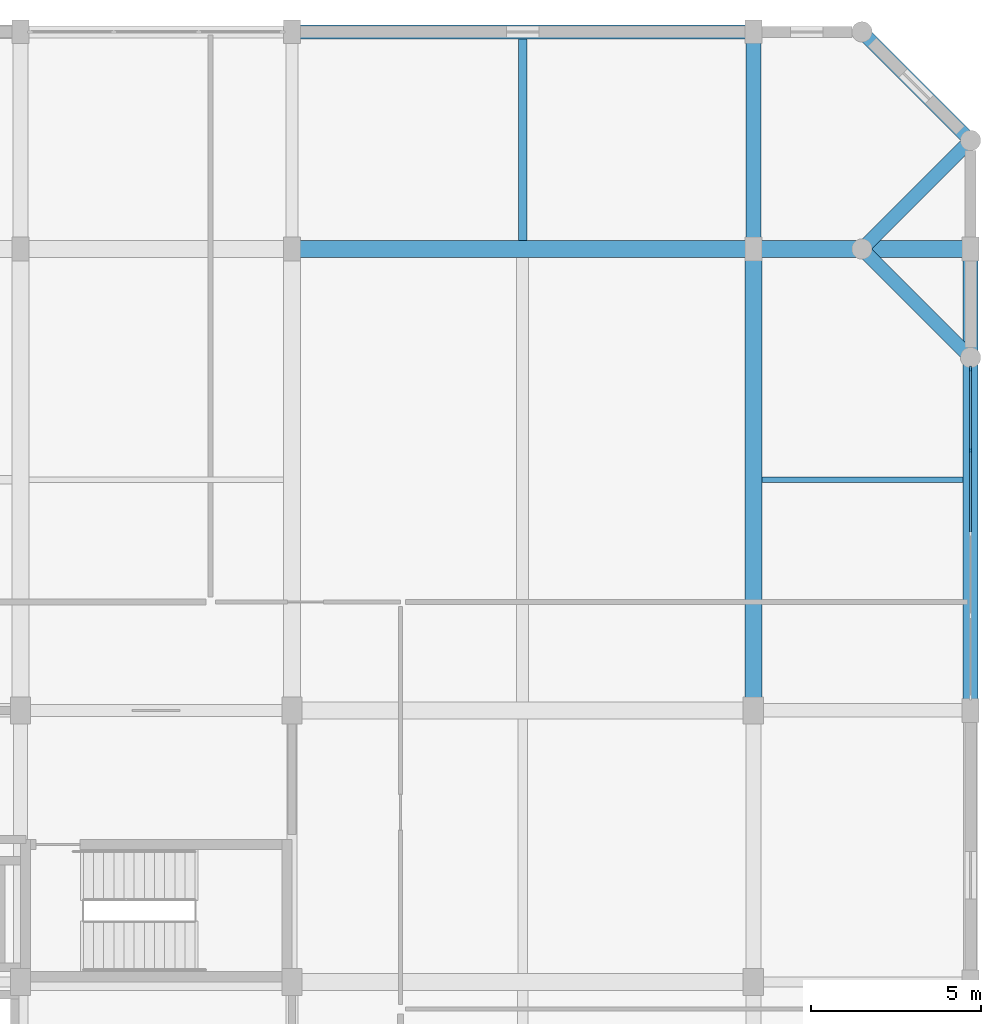
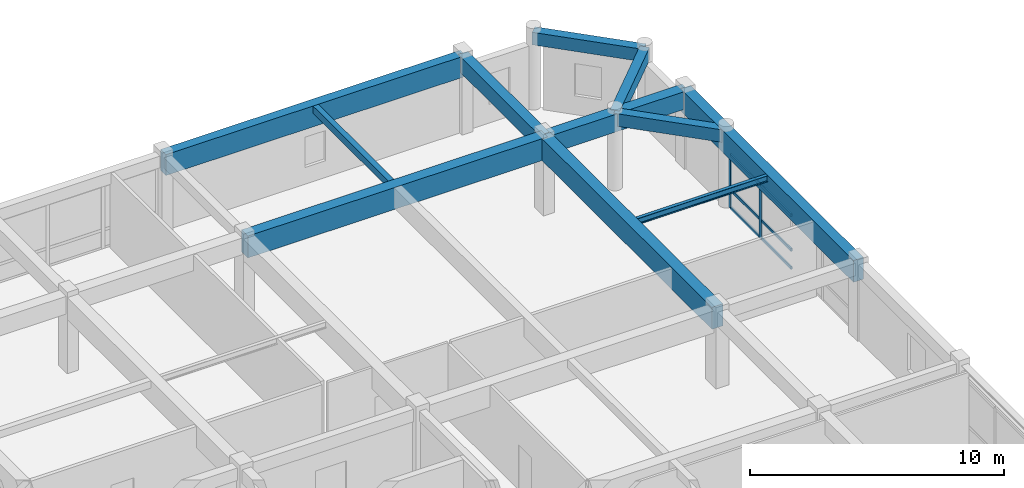
# One storey, part 7 of 13: 11 beams, 8 members, 1 element without a shape of its own.
"""IFC4 building model written with IfcOpenShell, lengths in metres."""

from ifc_helpers import new_model, si_unit, direction, frame, origin, origin_2d, place, context, subcontext, project, spatial, rectangle, i_section, extrude, material, material_profile, profile_set, type_object, element, aggregate, save


model = new_model("IFC4")

# Units and contexts
model_context = context("Model", 3, precision=1e-05, world=origin(), true_north=direction((0.0, 1.0)))
body_context = subcontext(model_context, "Body", "Model", "MODEL_VIEW")
ifc_project = project(units=[si_unit("LENGTHUNIT", "METRE"), si_unit("AREAUNIT", "SQUARE_METRE"), si_unit("VOLUMEUNIT", "CUBIC_METRE"), si_unit("PLANEANGLEUNIT", "RADIAN"), si_unit("MASSUNIT", "GRAM", prefix="KILO")], contexts=[model_context])

# Site, building, storey
site_placement = place(None, origin())
site = spatial("IfcSite", under=ifc_project, at=site_placement, CompositionType="ELEMENT")
building_placement = place(site_placement, origin())
building = spatial("IfcBuilding", under=site, at=building_placement, Name="Vellmiral Cinema and Media Centre", CompositionType="ELEMENT")
storey_placement = place(building_placement, frame((0.0, 0.0, 50.89990234375)))
storey = spatial("IfcBuildingStorey", under=building, at=storey_placement, Name="L12", CompositionType="ELEMENT", Elevation=50.89990234375)

# Beams
ifc_material_1 = material(Name="Concrete C40/50", Category="concrete")
ifc_material_profile_1 = material_profile(ifc_material_1, rectangle(XDim=0.449951171875, YDim=0.75, at=origin_2d()), Name="RC 450x750")
ifc_profile_set_1 = profile_set([ifc_material_profile_1], Name="Concrete C40/50")
beam_type_1 = type_object("IfcBeamType", Name="BM-RC-450x750", PredefinedType="BEAM", material=ifc_profile_set_1)
beam_1_placement = place(storey_placement, frame((161.60009765625, 108.800048828125, 3.280029296875), z_axis=(0.0, 1.0, 0.0), x_axis=(-1.0, 0.0, 0.0)))
element("IfcBeam", 1, at=beam_1_placement, inside=storey, type_object=beam_type_1, Name="Grid Beam L12-Y065", PredefinedType="BEAM", context=body_context, shape_type="SweptSolid", body=[
    extrude(rectangle(XDim=0.449951171875, YDim=0.75, at=origin_2d()), origin(), (0.0, 0.0, 1.0), 6.39990234375),
])
ifc_material_2 = material(Name="Concrete C40/50", Category="concrete")
ifc_material_profile_2 = material_profile(ifc_material_2, rectangle(XDim=0.5, YDim=0.85009765625, at=origin_2d()), Name="RC 500x850")
ifc_profile_set_2 = profile_set([ifc_material_profile_2], Name="Concrete C40/50")
beam_type_2 = type_object("IfcBeamType", Name="BM-RC-500x850", PredefinedType="BEAM", material=ifc_profile_set_2)
beam_2_placement = place(storey_placement, frame((161.60009765625, 108.800048828125, 3.22998046875), z_axis=(1.0, 0.0, 0.0), x_axis=(0.0, 1.0, 0.0)))
element("IfcBeam", 2, at=beam_2_placement, inside=storey, type_object=beam_type_2, Name="Grid Beam L12-X030", PredefinedType="BEAM", context=body_context, shape_type="SweptSolid", body=[
    extrude(rectangle(XDim=0.5, YDim=0.85009765625, at=origin_2d()), origin(), (0.0, 0.0, 1.0), 6.39990234375),
])
ifc_material_3 = material(Name="Concrete C40/50", Category="concrete")
ifc_material_profile_3 = material_profile(ifc_material_3, rectangle(XDim=0.5, YDim=1.050048828125, at=origin_2d()), Name="RC 500x1050")
ifc_profile_set_3 = profile_set([ifc_material_profile_3], Name="Concrete C40/50")
beam_type_3 = type_object("IfcBeamType", Name="BM-RCG-500x1050", PredefinedType="BEAM", material=ifc_profile_set_3)
for number, where, z_axis, x_axis, name in (
    (3, (148.0, 108.800048828125, 3.130126953125), (1.0, 0.0, 0.0), (0.0, 1.0, 0.0), "Grid Beam L12-X029"),
    (4, (161.60009765625, 95.199951171875, 3.130126953125), (0.0, 1.0, 0.0), (-1.0, 0.0, 0.0), "Grid Beam L12-Y064"),
):
    element("IfcBeam", number, at=place(storey_placement, frame(where, z_axis=z_axis, x_axis=x_axis)), inside=storey, type_object=beam_type_3, Name=name, PredefinedType="BEAM", context=body_context, shape_type="SweptSolid", body=[
        extrude(rectangle(XDim=0.5, YDim=1.050048828125, at=origin_2d()), origin(), (0.0, 0.0, 1.0), 13.60009765625),
    ])

# Curtain wall, members
ifc_material_4 = material(Name="Thermally Broken Aluminium and Triple Glazing", Category="aluminium")
curtain_wall_type = type_object("IfcCurtainWallType", Name="CW-TOWER-MID-E", PredefinedType="USERDEFINED", material=ifc_material_4)
curtain_wall_placement = place(storey_placement, origin())
curtain_wall = element("IfcCurtainWall", 5, at=curtain_wall_placement, inside=storey, type_object=curtain_wall_type, Name="Curtain Wall L12-B013", ObjectType="UNITISED CURTAIN WALL", PredefinedType="USERDEFINED")
ifc_material_5 = material(Name="Thermally Broken Anodised Aluminium", Category="aluminium")
ifc_material_profile_4 = material_profile(ifc_material_5, rectangle(XDim=0.06494140625, YDim=0.159912109375, at=origin_2d()), Name="MULL 65x160")
ifc_profile_set_4 = profile_set([ifc_material_profile_4], Name="Thermally Broken Anodised Aluminium")
member_type_1 = type_object("IfcMemberType", Name="CWM-65x160", PredefinedType="MULLION", material=ifc_profile_set_4)
member_1_placement = place(storey_placement, frame((168.0, 102.862548828125, 0.0), z_axis=(0.0, 0.0, 1.0), x_axis=(-1.0, 0.0, 0.0)))
member_1 = element("IfcMember", 6, at=member_1_placement, type_object=member_type_1, Name="CW-07 mullion 4", PredefinedType="MULLION", context=body_context, shape_type="SweptSolid", body=[
    extrude(rectangle(XDim=0.06494140625, YDim=0.159912109375, at=origin_2d()), origin(), (0.0, 0.0, 1.0), 2.59521484375),
])
member_2_placement = place(storey_placement, frame((168.0, 105.267578125, 0.0), z_axis=(0.0, 0.0, 1.0), x_axis=(-1.0, 0.0, 0.0)))
member_2 = element("IfcMember", 7, at=member_2_placement, type_object=member_type_1, Name="CW-07 mullion 5", PredefinedType="MULLION", context=body_context, shape_type="SweptSolid", body=[
    extrude(rectangle(XDim=0.06494140625, YDim=0.159912109375, at=origin_2d()), origin(), (0.0, 0.0, 1.0), 2.59521484375),
])
ifc_material_6 = material(Name="Thermally Broken Anodised Aluminium", Category="aluminium")
ifc_material_profile_5 = material_profile(ifc_material_6, rectangle(XDim=0.06494140625, YDim=0.135009765625, at=origin_2d()), Name="MULL 65x135")
ifc_profile_set_5 = profile_set([ifc_material_profile_5], Name="Thermally Broken Anodised Aluminium")
member_type_2 = type_object("IfcMemberType", Name="CWT-65x135", PredefinedType="USERDEFINED", material=ifc_profile_set_5)
member_3_placement = place(storey_placement, frame((168.0, 100.45751953125, 0.03271484375), z_axis=(0.0, 1.0, 0.0), x_axis=(-1.0, 0.0, 0.0)))
member_3 = element("IfcMember", 8, at=member_3_placement, type_object=member_type_2, Name="CW-07 transom 3.1", ObjectType="TRANSOM", PredefinedType="USERDEFINED", context=body_context, shape_type="SweptSolid", body=[
    extrude(rectangle(XDim=0.06494140625, YDim=0.135009765625, at=origin_2d()), origin(), (0.0, 0.0, 1.0), 2.37255859375),
])
member_4_placement = place(storey_placement, frame((168.0, 100.45751953125, 0.900146484375), z_axis=(0.0, 1.0, 0.0), x_axis=(-1.0, 0.0, 0.0)))
member_4 = element("IfcMember", 9, at=member_4_placement, type_object=member_type_2, Name="CW-07 transom 3.2", ObjectType="TRANSOM", PredefinedType="USERDEFINED", context=body_context, shape_type="SweptSolid", body=[
    extrude(rectangle(XDim=0.06494140625, YDim=0.135009765625, at=origin_2d()), origin(), (0.0, 0.0, 1.0), 2.37255859375),
])
member_5_placement = place(storey_placement, frame((168.0, 100.45751953125, 2.5625), z_axis=(0.0, 1.0, 0.0), x_axis=(-1.0, 0.0, 0.0)))
member_5 = element("IfcMember", 10, at=member_5_placement, type_object=member_type_2, Name="CW-07 transom 3.3", ObjectType="TRANSOM", PredefinedType="USERDEFINED", context=body_context, shape_type="SweptSolid", body=[
    extrude(rectangle(XDim=0.06494140625, YDim=0.135009765625, at=origin_2d()), origin(), (0.0, 0.0, 1.0), 2.37255859375),
])
member_6_placement = place(storey_placement, frame((168.0, 102.89501953125, 0.03271484375), z_axis=(0.0, 1.0, 0.0), x_axis=(-1.0, 0.0, 0.0)))
member_6 = element("IfcMember", 11, at=member_6_placement, type_object=member_type_2, Name="CW-07 transom 4.1", ObjectType="TRANSOM", PredefinedType="USERDEFINED", context=body_context, shape_type="SweptSolid", body=[
    extrude(rectangle(XDim=0.06494140625, YDim=0.135009765625, at=origin_2d()), origin(), (0.0, 0.0, 1.0), 2.340087890625),
])
member_7_placement = place(storey_placement, frame((168.0, 102.89501953125, 0.900146484375), z_axis=(0.0, 1.0, 0.0), x_axis=(-1.0, 0.0, 0.0)))
member_7 = element("IfcMember", 12, at=member_7_placement, type_object=member_type_2, Name="CW-07 transom 4.2", ObjectType="TRANSOM", PredefinedType="USERDEFINED", context=body_context, shape_type="SweptSolid", body=[
    extrude(rectangle(XDim=0.06494140625, YDim=0.135009765625, at=origin_2d()), origin(), (0.0, 0.0, 1.0), 2.340087890625),
])
member_8_placement = place(storey_placement, frame((168.0, 102.89501953125, 2.5625), z_axis=(0.0, 1.0, 0.0), x_axis=(-1.0, 0.0, 0.0)))
member_8 = element("IfcMember", 13, at=member_8_placement, type_object=member_type_2, Name="CW-07 transom 4.3", ObjectType="TRANSOM", PredefinedType="USERDEFINED", context=body_context, shape_type="SweptSolid", body=[
    extrude(rectangle(XDim=0.06494140625, YDim=0.135009765625, at=origin_2d()), origin(), (0.0, 0.0, 1.0), 2.340087890625),
])
aggregate(curtain_wall, [member_1, member_2, member_3, member_4, member_5, member_6, member_7, member_8])

# Beams
ifc_material_7 = material(Name="Concrete C40/50", Category="concrete")
ifc_material_profile_6 = material_profile(ifc_material_7, rectangle(XDim=0.25, YDim=0.35009765625, at=origin_2d()), Name="RC 250x350")
ifc_profile_set_6 = profile_set([ifc_material_profile_6], Name="Concrete C40/50")
beam_type_4 = type_object("IfcBeamType", Name="JST-RC-250x350", PredefinedType="JOIST", material=ifc_profile_set_6)
beam_3_placement = place(storey_placement, frame((154.800048828125, 109.050048828125, 3.47998046875), z_axis=(0.0, 1.0, 0.0), x_axis=(-1.0, 0.0, 0.0)))
element("IfcBeam", 14, at=beam_3_placement, inside=storey, type_object=beam_type_4, Name="Secondary Floor Joist L12-009", PredefinedType="JOIST", context=body_context, shape_type="SweptSolid", body=[
    extrude(rectangle(XDim=0.25, YDim=0.35009765625, at=origin_2d()), origin(), (0.0, 0.0, 1.0), 5.93994140625),
])
ifc_material_8 = material(Name="Steel S355", Category="steel")
ifc_material_profile_7 = material_profile(ifc_material_8, i_section(OverallWidth=0.14990234375, OverallDepth=0.300048828125, WebThickness=0.007080078125, FlangeThickness=0.0107421875, FilletRadius=0.014892578125, at=origin_2d()), Name="IPE 300")
ifc_profile_set_7 = profile_set([ifc_material_profile_7], Name="Steel S355")
beam_type_5 = type_object("IfcBeamType", Name="SBM-IPE300", PredefinedType="JOIST", material=ifc_profile_set_7)
beam_4_placement = place(storey_placement, frame((161.85009765625, 102.0, 3.505126953125), z_axis=(1.0, 0.0, 0.0), x_axis=(0.0, 1.0, 0.0)))
element("IfcBeam", 15, at=beam_4_placement, inside=storey, type_object=beam_type_5, Name="Secondary Floor Joist L12-010", PredefinedType="JOIST", context=body_context, shape_type="SweptSolid", body=[
    extrude(i_section(OverallWidth=0.14990234375, OverallDepth=0.300048828125, WebThickness=0.007080078125, FlangeThickness=0.0107421875, FilletRadius=0.014892578125, at=origin_2d()), origin(), (0.0, 0.0, 1.0), 5.9248046875),
])
ifc_material_9 = material(Name="Concrete C40/50", Category="concrete")
ifc_material_profile_8 = material_profile(ifc_material_9, rectangle(XDim=0.39990234375, YDim=0.60009765625, at=origin_2d()), Name="RC 400x600")
ifc_profile_set_8 = profile_set([ifc_material_profile_8], Name="Concrete C40/50")
beam_type_6 = type_object("IfcBeamType", Name="SPD-RC-400x600", PredefinedType="SPANDREL", material=ifc_profile_set_8)
for number, where, z_axis, x_axis, name in (
    (16, (164.800048828125, 108.800048828125, 3.35498046875), (0.707106781187, -0.707106781187, 0.0), (0.707106781187, 0.707106781187, 0.0), "Xamfra Chamfer Spandrel Beam L12-073"),
    (17, (164.800048828125, 108.800048828125, 3.35498046875), (0.707106781187, 0.707106781187, 0.0), (-0.707106781187, 0.707106781187, 0.0), "Xamfra Chamfer Spandrel Beam L12-074"),
    (18, (164.800048828125, 115.199951171875, 3.35498046875), (0.707106781187, -0.707106781187, 0.0), (0.707106781187, 0.707106781187, 0.0), "Xamfra Chamfer Spandrel Beam L12-075"),
):
    element("IfcBeam", number, at=place(storey_placement, frame(where, z_axis=z_axis, x_axis=x_axis)), inside=storey, type_object=beam_type_6, Name=name, PredefinedType="SPANDREL", context=body_context, shape_type="SweptSolid", body=[
        extrude(rectangle(XDim=0.39990234375, YDim=0.60009765625, at=origin_2d()), origin(), (0.0, 0.0, 1.0), 4.525390625),
    ])
ifc_material_10 = material(Name="Concrete C40/50", Category="concrete")
ifc_material_profile_9 = material_profile(ifc_material_10, rectangle(XDim=0.449951171875, YDim=1.050048828125, at=origin_2d()), Name="RC 450x1050")
ifc_profile_set_9 = profile_set([ifc_material_profile_9], Name="Concrete C40/50")
beam_type_7 = type_object("IfcBeamType", Name="SPD-RCG-450x1050", PredefinedType="SPANDREL", material=ifc_profile_set_9)
beam_5_placement = place(storey_placement, frame((168.0, 95.199951171875, 3.130126953125), z_axis=(0.0, 1.0, 0.0), x_axis=(-1.0, 0.0, 0.0)))
element("IfcBeam", 19, at=beam_5_placement, inside=storey, type_object=beam_type_7, Name="Grid Beam L12-Y069", PredefinedType="SPANDREL", context=body_context, shape_type="SweptSolid", body=[
    extrude(rectangle(XDim=0.449951171875, YDim=1.050048828125, at=origin_2d()), origin(), (0.0, 0.0, 1.0), 13.60009765625),
])
ifc_material_11 = material(Name="Vosges Red Sandstone Masonry", Category="masonry")
ifc_material_profile_10 = material_profile(ifc_material_11, rectangle(XDim=0.419921875, YDim=1.0, at=origin_2d()), Name="SAND 420x1000")
ifc_profile_set_10 = profile_set([ifc_material_profile_10], Name="Vosges Red Sandstone Masonry")
beam_type_8 = type_object("IfcBeamType", Name="SPD-SANDG-420x1000", PredefinedType="SPANDREL", material=ifc_profile_set_10)
beam_6_placement = place(storey_placement, frame((148.0, 115.199951171875, 3.155029296875), z_axis=(1.0, 0.0, 0.0), x_axis=(0.0, 1.0, 0.0)))
element("IfcBeam", 20, at=beam_6_placement, inside=storey, type_object=beam_type_8, Name="Grid Beam L12-X035", PredefinedType="SPANDREL", context=body_context, shape_type="SweptSolid", body=[
    extrude(rectangle(XDim=0.419921875, YDim=1.0, at=origin_2d()), origin(), (0.0, 0.0, 1.0), 13.60009765625),
])

save(model, "model.ifc")
